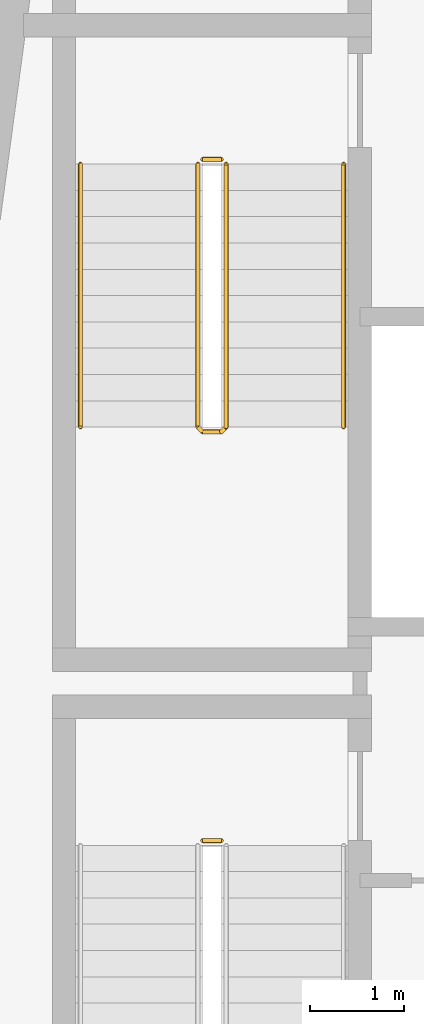
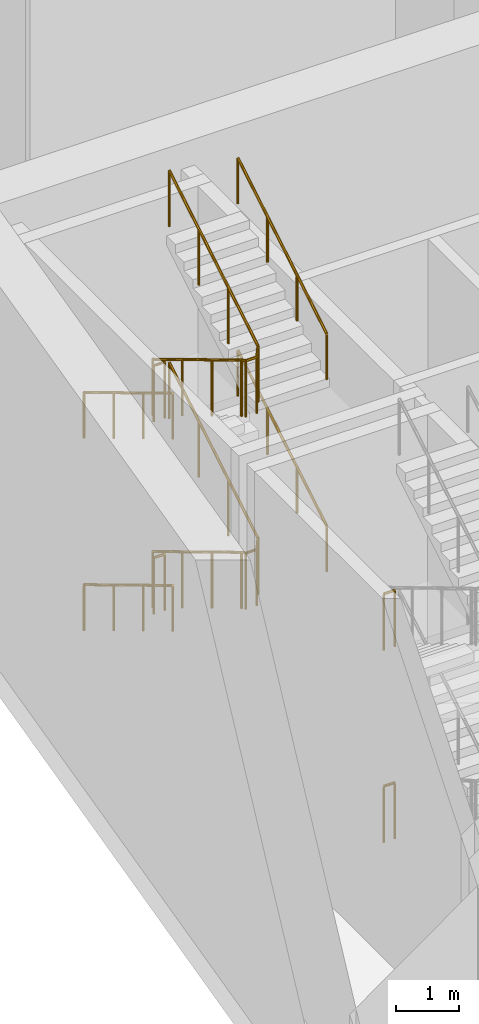
# One storey, part 8 of 10: 10 railings.
"""IFC4 building model written with IfcOpenShell, lengths in metres."""

from ifc_helpers import new_model, si_unit, direction, frame, origin, origin_2d, place, context, subcontext, project, spatial, circle, extrude, material, type_object, element, save


model = new_model("IFC4")

# Units and contexts
model_context = context("Model", 3, precision=1e-05, world=origin(), true_north=direction((0.0, 1.0)))
body_context = subcontext(model_context, "Body", "Model", "MODEL_VIEW")
ifc_project = project(units=[si_unit("LENGTHUNIT", "METRE"), si_unit("AREAUNIT", "SQUARE_METRE"), si_unit("VOLUMEUNIT", "CUBIC_METRE"), si_unit("PLANEANGLEUNIT", "RADIAN"), si_unit("MASSUNIT", "GRAM", prefix="KILO")], contexts=[model_context])

# Site, building, storey
site_placement = place(None, origin())
site = spatial("IfcSite", under=ifc_project, at=site_placement, CompositionType="ELEMENT")
building_placement = place(site_placement, origin())
building = spatial("IfcBuilding", under=site, at=building_placement, Name="Candeia Pilgrim Tower and Theatre", CompositionType="ELEMENT")
storey_placement = place(building_placement, frame((0.0, 0.0, 246.60009765625)))
storey = spatial("IfcBuildingStorey", under=building, at=storey_placement, Name="L60", CompositionType="ELEMENT", Elevation=246.60009765625)

# Railings
ifc_material_1 = material(Name="Stainless steel balustrade", Category="steel")
railing_type_1 = type_object("IfcRailingType", Name="RL-GUARD-1100", PredefinedType="GUARDRAIL", material=ifc_material_1)
for number, where, name in (
    (1, (91.152099609375, 122.52490234375, 3.699951171875), "L60 ST1 stair guard 2"),
    (2, (91.152099609375, 122.52490234375, 0.0), "L60 ST1 stair guard 4"),
):
    element("IfcRailing", number, at=place(storey_placement, frame(where)), inside=storey, type_object=railing_type_1, Name=name, PredefinedType="GUARDRAIL", context=body_context, shape_type="SweptSolid", body=[
        extrude(circle(Radius=0.02392578125, at=origin_2d()), frame((0.0, 0.0, 1.076171875), z_axis=(1.0, 0.0, 0.0), x_axis=(0.0, 1.0, 0.0)), (0.0, 0.0, 1.0), 0.199951171875),
        extrude(circle(Radius=0.02099609375, at=origin_2d()), origin(), (0.0, 0.0, 1.0), 1.052001953125),
        extrude(circle(Radius=0.02099609375, at=origin_2d()), frame((0.199951171875, 0.0, 0.0)), (0.0, 0.0, 1.0), 1.052001953125),
    ])
railing_1_placement = place(storey_placement, frame((91.10205078125, 129.72509765625, 0.16796875)))
element("IfcRailing", 3, at=railing_1_placement, inside=storey, type_object=railing_type_1, Name="L60 ST2 stair guard 1", PredefinedType="GUARDRAIL", context=body_context, shape_type="SweptSolid", body=[
    extrude(circle(Radius=0.02392578125, at=origin_2d()), frame((0.0, 0.0, 1.076171875), z_axis=(0.0, -0.857242210791, 0.514913383045), x_axis=(1.0, 0.0, 0.0)), (0.0, 0.0, 1.0), 3.266357421875),
    extrude(circle(Radius=0.02392578125, at=origin_2d()), frame((0.0, -2.800048828125, 2.7578125), z_axis=(0.707106781187, -0.707106781187, 0.0), x_axis=(0.707106781187, 0.707106781187, 0.0)), (0.0, 0.0, 1.0), 0.07080078125),
    extrude(circle(Radius=0.02392578125, at=origin_2d()), frame((0.050048828125, -2.85009765625, 2.7578125), z_axis=(1.0, 0.0, 0.0), x_axis=(0.0, 1.0, 0.0)), (0.0, 0.0, 1.0), 0.199951171875),
    extrude(circle(Radius=0.02392578125, at=origin_2d()), frame((0.25, -2.85009765625, 2.7578125), z_axis=(0.274243871929, 0.274243871929, 0.92172696468), x_axis=(-0.707106781187, 0.707106781187, 0.0)), (0.0, 0.0, 1.0), 0.1826171875),
    extrude(circle(Radius=0.02392578125, at=origin_2d()), frame((0.300048828125, -2.800048828125, 2.92626953125), z_axis=(0.0, 0.857242210791, 0.514913383045), x_axis=(-1.0, 0.0, 0.0)), (0.0, 0.0, 1.0), 3.266357421875),
    extrude(circle(Radius=0.02099609375, at=origin_2d()), origin(), (0.0, 0.0, 1.0), 1.052001953125),
    extrude(circle(Radius=0.02099609375, at=origin_2d()), frame((0.0, -0.933349609375, 0.560546875)), (0.0, 0.0, 1.0), 1.052001953125),
    extrude(circle(Radius=0.02099609375, at=origin_2d()), frame((0.0, -1.86669921875, 1.121337890625)), (0.0, 0.0, 1.0), 1.052001953125),
    extrude(circle(Radius=0.02099609375, at=origin_2d()), frame((0.0, -2.800048828125, 1.681884765625)), (0.0, 0.0, 1.0), 1.052001953125),
    extrude(circle(Radius=0.02099609375, at=origin_2d()), frame((0.050048828125, -2.85009765625, 1.681884765625)), (0.0, 0.0, 1.0), 1.052001953125),
    extrude(circle(Radius=0.02099609375, at=origin_2d()), frame((0.25, -2.85009765625, 1.681884765625)), (0.0, 0.0, 1.0), 1.052001953125),
    extrude(circle(Radius=0.02099609375, at=origin_2d()), frame((0.300048828125, -2.800048828125, 1.85009765625)), (0.0, 0.0, 1.0), 1.052001953125),
    extrude(circle(Radius=0.02099609375, at=origin_2d()), frame((0.300048828125, -1.86669921875, 2.41064453125)), (0.0, 0.0, 1.0), 1.052001953125),
    extrude(circle(Radius=0.02099609375, at=origin_2d()), frame((0.300048828125, -0.933349609375, 2.971435546875)), (0.0, 0.0, 1.0), 1.052001953125),
    extrude(circle(Radius=0.02099609375, at=origin_2d()), frame((0.300048828125, 0.0, 3.531982421875)), (0.0, 0.0, 1.0), 1.052001953125),
])
railing_2_placement = place(storey_placement, frame((91.152099609375, 129.77490234375, 3.699951171875)))
element("IfcRailing", 4, at=railing_2_placement, inside=storey, type_object=railing_type_1, Name="L60 ST2 stair guard 2", PredefinedType="GUARDRAIL", context=body_context, shape_type="SweptSolid", body=[
    extrude(circle(Radius=0.02392578125, at=origin_2d()), frame((0.0, 0.0, 1.076171875), z_axis=(1.0, 0.0, 0.0), x_axis=(0.0, 1.0, 0.0)), (0.0, 0.0, 1.0), 0.199951171875),
    extrude(circle(Radius=0.02099609375, at=origin_2d()), origin(), (0.0, 0.0, 1.0), 1.052001953125),
    extrude(circle(Radius=0.02099609375, at=origin_2d()), frame((0.199951171875, 0.0, 0.0)), (0.0, 0.0, 1.0), 1.052001953125),
])
railing_3_placement = place(storey_placement, frame((91.10205078125, 129.72509765625, 3.8681640625)))
element("IfcRailing", 5, at=railing_3_placement, inside=storey, type_object=railing_type_1, Name="L60 ST2 stair guard 3", PredefinedType="GUARDRAIL", context=body_context, shape_type="SweptSolid", body=[
    extrude(circle(Radius=0.02392578125, at=origin_2d()), frame((0.0, 0.0, 1.076171875), z_axis=(0.0, -0.857275202839, 0.514858452973), x_axis=(1.0, 0.0, 0.0)), (0.0, 0.0, 1.0), 3.26611328125),
    extrude(circle(Radius=0.02392578125, at=origin_2d()), frame((0.0, -2.800048828125, 2.7578125), z_axis=(0.707106781187, -0.707106781187, 0.0), x_axis=(0.707106781187, 0.707106781187, 0.0)), (0.0, 0.0, 1.0), 0.07080078125),
    extrude(circle(Radius=0.02392578125, at=origin_2d()), frame((0.050048828125, -2.85009765625, 2.7578125), z_axis=(1.0, 0.0, 0.0), x_axis=(0.0, 1.0, 0.0)), (0.0, 0.0, 1.0), 0.199951171875),
    extrude(circle(Radius=0.02392578125, at=origin_2d()), frame((0.25, -2.85009765625, 2.7578125), z_axis=(0.274243871929, 0.274243871929, 0.92172696468), x_axis=(-0.707106781187, 0.707106781187, 0.0)), (0.0, 0.0, 1.0), 0.1826171875),
    extrude(circle(Radius=0.02392578125, at=origin_2d()), frame((0.300048828125, -2.800048828125, 2.92578125), z_axis=(0.0, 0.857242210791, 0.514913383045), x_axis=(-1.0, 0.0, 0.0)), (0.0, 0.0, 1.0), 3.266357421875),
    extrude(circle(Radius=0.02099609375, at=origin_2d()), origin(), (0.0, 0.0, 1.0), 1.052001953125),
    extrude(circle(Radius=0.02099609375, at=origin_2d()), frame((0.0, -0.933349609375, 0.560546875)), (0.0, 0.0, 1.0), 1.052001953125),
    extrude(circle(Radius=0.02099609375, at=origin_2d()), frame((0.0, -1.86669921875, 1.12109375)), (0.0, 0.0, 1.0), 1.052001953125),
    extrude(circle(Radius=0.02099609375, at=origin_2d()), frame((0.0, -2.800048828125, 1.681640625)), (0.0, 0.0, 1.0), 1.052001953125),
    extrude(circle(Radius=0.02099609375, at=origin_2d()), frame((0.050048828125, -2.85009765625, 1.681640625)), (0.0, 0.0, 1.0), 1.052001953125),
    extrude(circle(Radius=0.02099609375, at=origin_2d()), frame((0.25, -2.85009765625, 1.681640625)), (0.0, 0.0, 1.0), 1.052001953125),
    extrude(circle(Radius=0.02099609375, at=origin_2d()), frame((0.300048828125, -2.800048828125, 1.849853515625)), (0.0, 0.0, 1.0), 1.052001953125),
    extrude(circle(Radius=0.02099609375, at=origin_2d()), frame((0.300048828125, -1.86669921875, 2.410400390625)), (0.0, 0.0, 1.0), 1.052001953125),
    extrude(circle(Radius=0.02099609375, at=origin_2d()), frame((0.300048828125, -0.933349609375, 2.97119140625)), (0.0, 0.0, 1.0), 1.052001953125),
    extrude(circle(Radius=0.02099609375, at=origin_2d()), frame((0.300048828125, 0.0, 3.53173828125)), (0.0, 0.0, 1.0), 1.052001953125),
])
railing_4_placement = place(storey_placement, frame((91.152099609375, 129.77490234375, 0.0)))
element("IfcRailing", 6, at=railing_4_placement, inside=storey, type_object=railing_type_1, Name="L60 ST2 stair guard 4", PredefinedType="GUARDRAIL", context=body_context, shape_type="SweptSolid", body=[
    extrude(circle(Radius=0.02392578125, at=origin_2d()), frame((0.0, 0.0, 1.076171875), z_axis=(1.0, 0.0, 0.0), x_axis=(0.0, 1.0, 0.0)), (0.0, 0.0, 1.0), 0.199951171875),
    extrude(circle(Radius=0.02099609375, at=origin_2d()), origin(), (0.0, 0.0, 1.0), 1.052001953125),
    extrude(circle(Radius=0.02099609375, at=origin_2d()), frame((0.199951171875, 0.0, 0.0)), (0.0, 0.0, 1.0), 1.052001953125),
])
ifc_material_2 = material(Name="Stainless steel handrail", Category="steel")
railing_type_2 = type_object("IfcRailingType", Name="RL-HANDRAIL-900", PredefinedType="HANDRAIL", material=ifc_material_2)
railing_5_placement = place(storey_placement, frame((89.85205078125, 129.72509765625, 0.16796875)))
element("IfcRailing", 7, at=railing_5_placement, inside=storey, type_object=railing_type_2, Name="L60 ST2 stair handrail 1", PredefinedType="HANDRAIL", context=body_context, shape_type="SweptSolid", body=[
    extrude(circle(Radius=0.02392578125, at=origin_2d()), frame((0.0, 0.0, 0.8759765625), z_axis=(0.0, -0.857242210791, 0.514913383045), x_axis=(1.0, 0.0, 0.0)), (0.0, 0.0, 1.0), 3.266357421875),
    extrude(circle(Radius=0.02099609375, at=origin_2d()), origin(), (0.0, 0.0, 1.0), 0.851806640625),
    extrude(circle(Radius=0.02099609375, at=origin_2d()), frame((0.0, -0.933349609375, 0.560546875)), (0.0, 0.0, 1.0), 0.851806640625),
    extrude(circle(Radius=0.02099609375, at=origin_2d()), frame((0.0, -1.86669921875, 1.121337890625)), (0.0, 0.0, 1.0), 0.851806640625),
    extrude(circle(Radius=0.02099609375, at=origin_2d()), frame((0.0, -2.800048828125, 1.681884765625)), (0.0, 0.0, 1.0), 0.851806640625),
])
railing_6_placement = place(storey_placement, frame((92.652099609375, 126.925048828125, 2.01806640625)))
element("IfcRailing", 8, at=railing_6_placement, inside=storey, type_object=railing_type_2, Name="L60 ST2 stair handrail 2", PredefinedType="HANDRAIL", context=body_context, shape_type="SweptSolid", body=[
    extrude(circle(Radius=0.02392578125, at=origin_2d()), frame((0.0, 0.0, 0.8759765625), z_axis=(0.0, 0.857242210791, 0.514913383045), x_axis=(-1.0, 0.0, 0.0)), (0.0, 0.0, 1.0), 3.266357421875),
    extrude(circle(Radius=0.02099609375, at=origin_2d()), origin(), (0.0, 0.0, 1.0), 0.851806640625),
    extrude(circle(Radius=0.02099609375, at=origin_2d()), frame((0.0, 0.933349609375, 0.560546875)), (0.0, 0.0, 1.0), 0.851806640625),
    extrude(circle(Radius=0.02099609375, at=origin_2d()), frame((0.0, 1.86669921875, 1.121337890625)), (0.0, 0.0, 1.0), 0.851806640625),
    extrude(circle(Radius=0.02099609375, at=origin_2d()), frame((0.0, 2.800048828125, 1.681884765625)), (0.0, 0.0, 1.0), 0.851806640625),
])
railing_7_placement = place(storey_placement, frame((89.85205078125, 129.72509765625, 3.8681640625)))
element("IfcRailing", 9, at=railing_7_placement, inside=storey, type_object=railing_type_2, Name="L60 ST2 stair handrail 3", PredefinedType="HANDRAIL", context=body_context, shape_type="SweptSolid", body=[
    extrude(circle(Radius=0.02392578125, at=origin_2d()), frame((0.0, 0.0, 0.8759765625), z_axis=(0.0, -0.857275202839, 0.514858452973), x_axis=(1.0, 0.0, 0.0)), (0.0, 0.0, 1.0), 3.26611328125),
    extrude(circle(Radius=0.02099609375, at=origin_2d()), origin(), (0.0, 0.0, 1.0), 0.851806640625),
    extrude(circle(Radius=0.02099609375, at=origin_2d()), frame((0.0, -0.933349609375, 0.560546875)), (0.0, 0.0, 1.0), 0.851806640625),
    extrude(circle(Radius=0.02099609375, at=origin_2d()), frame((0.0, -1.86669921875, 1.12109375)), (0.0, 0.0, 1.0), 0.851806640625),
    extrude(circle(Radius=0.02099609375, at=origin_2d()), frame((0.0, -2.800048828125, 1.681640625)), (0.0, 0.0, 1.0), 0.851806640625),
])
railing_8_placement = place(storey_placement, frame((92.652099609375, 126.925048828125, 5.718017578125)))
element("IfcRailing", 10, at=railing_8_placement, inside=storey, type_object=railing_type_2, Name="L60 ST2 stair handrail 4", PredefinedType="HANDRAIL", context=body_context, shape_type="SweptSolid", body=[
    extrude(circle(Radius=0.02392578125, at=origin_2d()), frame((0.0, 0.0, 0.8759765625), z_axis=(0.0, 0.857242210791, 0.514913383045), x_axis=(-1.0, 0.0, 0.0)), (0.0, 0.0, 1.0), 3.266357421875),
    extrude(circle(Radius=0.02099609375, at=origin_2d()), origin(), (0.0, 0.0, 1.0), 0.851806640625),
    extrude(circle(Radius=0.02099609375, at=origin_2d()), frame((0.0, 0.933349609375, 0.560546875)), (0.0, 0.0, 1.0), 0.851806640625),
    extrude(circle(Radius=0.02099609375, at=origin_2d()), frame((0.0, 1.86669921875, 1.121337890625)), (0.0, 0.0, 1.0), 0.851806640625),
    extrude(circle(Radius=0.02099609375, at=origin_2d()), frame((0.0, 2.800048828125, 1.681884765625)), (0.0, 0.0, 1.0), 0.851806640625),
])

save(model, "model.ifc")
